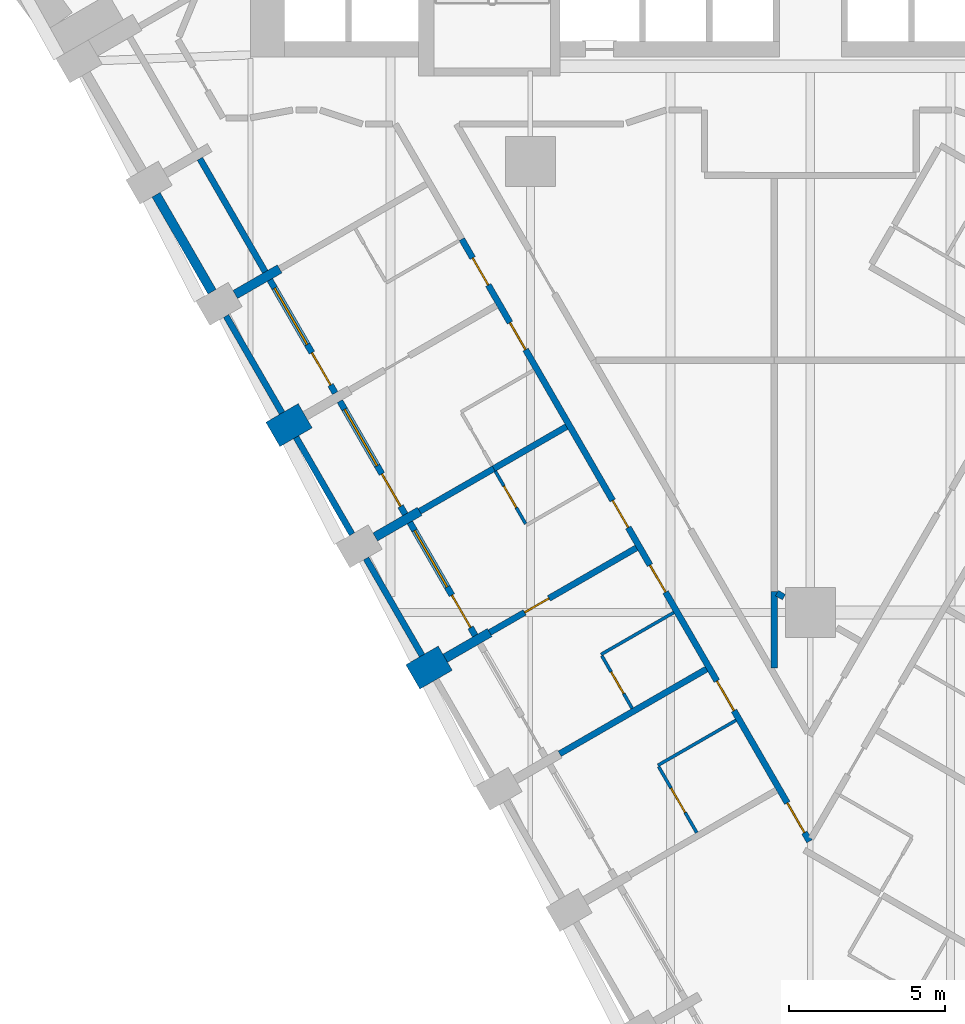
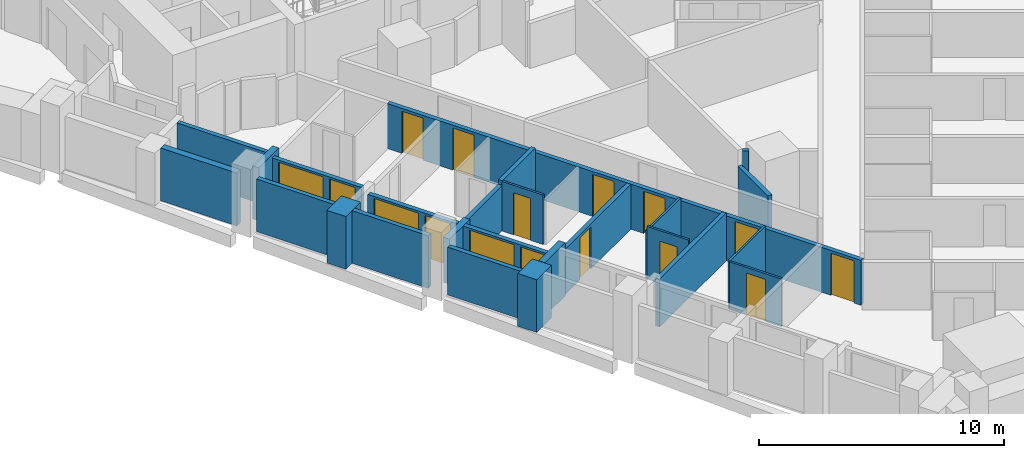
# One storey, part 3 of 12: 25 walls, 13 doors, 3 windows, 16 openings.
"""IFC4 building model written with IfcOpenShell, lengths in metres."""

import ifcopenshell
import ifcopenshell.guid

model = None  # the IFC model being written
_history = None  # IfcOwnerHistory: only IFC2X3 demands one
_inside = {}  # id of a spatial element -> (the spatial element, [elements in it])
_under = {}  # id of a project, library or spatial element -> (it, [spatial elements below it])
_declared = {}  # id of a project -> (the project, [libraries it declares])
_typed = {}  # id of a type object -> (the type object, [elements of that type])
_made_of = {}  # id of a material, layer set ... -> (it, [elements and type objects made of it])


def new_model(schema):
    """Start an empty IFC model of exactly this schema.

    Asked for "IFC4X3", IfcOpenShell would pick the latest addendum, in which some entities
    have other attributes; the version numbers below select the first issue.
    IFC2X3 requires an IfcOwnerHistory on every rooted entity: one is made here for all.
    """
    global model, _history
    if schema == "IFC4X3":
        model = ifcopenshell.file(schema_version=(4, 3, 0, 0))
    else:
        model = ifcopenshell.file(schema=schema)
    _inside.clear()
    _under.clear()
    _declared.clear()
    _typed.clear()
    _made_of.clear()
    _history = None
    if model.schema == "IFC2X3":
        org = make("IfcOrganization", Name="unknown")
        user = make(
            "IfcPersonAndOrganization",
            ThePerson=make("IfcPerson", FamilyName="unknown"),
            TheOrganization=org,
        )
        app = make(
            "IfcApplication",
            ApplicationDeveloper=org,
            Version="unknown",
            ApplicationFullName="unknown",
            ApplicationIdentifier="unknown",
        )
        _history = make(
            "IfcOwnerHistory",
            OwningUser=user,
            OwningApplication=app,
            ChangeAction="ADDED",
            CreationDate=0,
        )
    return model


def make(cls, **values):
    """One entity of the class cls with the attributes given. An attribute that is None is left unset."""
    return model.create_entity(
        cls, **{name: value for name, value in values.items() if value is not None}
    )


def rooted(cls, **values):
    """An entity with a GlobalId (a new one), such as an element, a storey or a relation."""
    return make(cls, GlobalId=ifcopenshell.guid.new(), OwnerHistory=_history, **values)


def si_unit(unit_type, name, prefix=None):
    """IfcSIUnit, for example si_unit("LENGTHUNIT", "METRE", prefix="MILLI")."""
    return make("IfcSIUnit", UnitType=unit_type, Prefix=prefix, Name=name)


def assignment(units):
    """IfcUnitAssignment: the units of a project."""
    return None if units is None else make("IfcUnitAssignment", Units=units)


def point(xyz):
    """IfcCartesianPoint."""
    return None if xyz is None else make("IfcCartesianPoint", Coordinates=xyz)


def direction(xyz):
    """IfcDirection."""
    return None if xyz is None else make("IfcDirection", DirectionRatios=xyz)


def frame(location, z_axis=None, x_axis=None):
    """IfcAxis2Placement3D, a coordinate frame: its origin and axes. An axis left out is left unset."""
    return make(
        "IfcAxis2Placement3D",
        Location=point(location),
        Axis=direction(z_axis),
        RefDirection=direction(x_axis),
    )


def frame_2d(location, x_axis=None):
    """IfcAxis2Placement2D, a coordinate frame in the plane: its origin and x axis."""
    return make(
        "IfcAxis2Placement2D", Location=point(location), RefDirection=direction(x_axis)
    )


def origin():
    """The frame at (0, 0, 0) with its axes left unset."""
    return frame((0.0, 0.0, 0.0))


def place(relative_to, where):
    """IfcLocalPlacement: puts the frame where relative to a parent placement (None: the world)."""
    return make(
        "IfcLocalPlacement", PlacementRelTo=relative_to, RelativePlacement=where
    )


def context(
    kind, dimensions, precision=None, world=None, true_north=None, identifier=None
):
    """IfcGeometricRepresentationContext, for example the 3D "Model" context."""
    return make(
        "IfcGeometricRepresentationContext",
        ContextIdentifier=identifier,
        ContextType=kind,
        CoordinateSpaceDimension=dimensions,
        Precision=precision,
        WorldCoordinateSystem=world,
        TrueNorth=true_north,
    )


def subcontext(parent, identifier, kind, view, scale=None):
    """IfcGeometricRepresentationSubContext, for example "Body" below "Model"."""
    return make(
        "IfcGeometricRepresentationSubContext",
        ContextIdentifier=identifier,
        ContextType=kind,
        ParentContext=parent,
        TargetScale=scale,
        TargetView=view,
    )


def project(units=None, contexts=None):
    """IfcProject with its units and contexts."""
    return rooted(
        "IfcProject",
        Name="project",
        RepresentationContexts=contexts,
        UnitsInContext=assignment(units),
    )


def spatial(cls, under=None, at=None, **own):
    """A site, building, storey or space (cls), placed at a placement, below another one or the project."""
    s = rooted(cls, ObjectPlacement=at, **own)
    if under is not None:
        _under.setdefault(under.id(), (under, []))[1].append(s)
    return s


def profile(cls, at=None, kind="AREA", **sizes):
    """A parametric profile (cls). Its sizes go by their IFC names, for example OverallWidth=200.0."""
    return make(cls, ProfileType=kind, Position=at, **sizes)


def rectangle(**sizes):
    """IfcRectangleProfileDef."""
    return profile("IfcRectangleProfileDef", **sizes)


def extrude(swept, where, along, depth):
    """IfcExtrudedAreaSolid: the profile swept, set in the frame where, extruded along a direction by depth."""
    return make(
        "IfcExtrudedAreaSolid",
        SweptArea=swept,
        Position=where,
        ExtrudedDirection=direction(along),
        Depth=depth,
    )


def shape(context_of_items, identifier, shape_type, items):
    """IfcShapeRepresentation: the items that make up one representation, for example the "Body"."""
    return make(
        "IfcShapeRepresentation",
        ContextOfItems=context_of_items,
        RepresentationIdentifier=identifier,
        RepresentationType=shape_type,
        Items=items,
    )


def material(Name=None, Category=None):
    """IfcMaterial."""
    return make("IfcMaterial", Name=Name, Category=Category)


def layer(
    of_material, thickness, ventilated=None, Name=None, Category=None, Priority=None
):
    """IfcMaterialLayer: one layer of a wall or slab, of a material (None: an air gap)."""
    return make(
        "IfcMaterialLayer",
        Material=of_material,
        LayerThickness=thickness,
        IsVentilated=ventilated,
        Name=Name,
        Category=Category,
        Priority=Priority,
    )


def layer_set(layers, Name=None):
    """IfcMaterialLayerSet."""
    return make("IfcMaterialLayerSet", MaterialLayers=layers, LayerSetName=Name)


def made_of(thing, what):
    """Note that an element or type object is made of a material, layer set ...; save() writes the relation."""
    if what is not None:
        _made_of.setdefault(what.id(), (what, []))[1].append(thing)
    return thing


def type_object(cls, material=None, **own):
    """A type object (cls), such as IfcWallType, which elements share."""
    return made_of(rooted(cls, **own), material)


def element(
    cls,
    number,
    at=None,
    inside=None,
    cuts=None,
    type_object=None,
    material=None,
    context=None,
    identifier="Body",
    shape_type=None,
    held_by="IfcProductDefinitionShape",
    body=None,
    shapes=None,
    **own,
):
    """One element of the class cls, such as IfcWall. Its Tag is "e" and its number.

    at: its placement. inside: the storey or other place that contains it. cuts: it is an
    opening in that element (IfcRelVoidsElement). A single representation is given by context,
    identifier, shape_type and body (its items); several are given by shapes. held_by: the class
    of the entity that holds the representations. save() writes the other relations.
    """
    e = rooted(cls, Tag="e%d" % number, ObjectPlacement=at, **own)
    if body is not None:
        shapes = [shape(context, identifier, shape_type, body)]
    if shapes is not None:
        e.Representation = make(held_by, Representations=shapes)
    if inside is not None:
        _inside.setdefault(inside.id(), (inside, []))[1].append(e)
    if cuts is not None:
        rooted(
            "IfcRelVoidsElement", RelatingBuildingElement=cuts, RelatedOpeningElement=e
        )
    if type_object is not None:
        _typed.setdefault(type_object.id(), (type_object, []))[1].append(e)
    return made_of(e, material)


def fill(opening, filler):
    """IfcRelFillsElement: the door or window that sits in an opening."""
    return rooted(
        "IfcRelFillsElement",
        RelatingOpeningElement=opening,
        RelatedBuildingElement=filler,
    )


def aggregate(whole, parts):
    """IfcRelAggregates: a whole, such as a stair, and the parts it consists of."""
    return rooted("IfcRelAggregates", RelatingObject=whole, RelatedObjects=parts)


def save(model, path):
    """Write the relations noted so far, then the file.

    IfcRelAggregates (storeys below a building ...), IfcRelContainedInSpatialStructure (elements
    in a storey), IfcRelDefinesByType, IfcRelAssociatesMaterial and IfcRelDeclares: one each for
    every whole, place, type object, material and project.
    """
    for whole, parts in _under.values():
        aggregate(whole, parts)
    for where, things in _inside.values():
        rooted(
            "IfcRelContainedInSpatialStructure",
            RelatedElements=things,
            RelatingStructure=where,
        )
    for kind, things in _typed.values():
        rooted("IfcRelDefinesByType", RelatedObjects=things, RelatingType=kind)
    for what, things in _made_of.values():
        rooted("IfcRelAssociatesMaterial", RelatedObjects=things, RelatingMaterial=what)
    for by, libraries in _declared.values():
        rooted("IfcRelDeclares", RelatingContext=by, RelatedDefinitions=libraries)
    model.write(path)


model = new_model("IFC4")

# Units and contexts
model_context = context("Model", 3, precision=1e-05, world=origin(), true_north=direction((0.0, 1.0)))
body_context = subcontext(model_context, "Body", "Model", "MODEL_VIEW")
ifc_project = project(units=[si_unit("LENGTHUNIT", "METRE"), si_unit("AREAUNIT", "SQUARE_METRE"), si_unit("VOLUMEUNIT", "CUBIC_METRE"), si_unit("PLANEANGLEUNIT", "RADIAN"), si_unit("MASSUNIT", "GRAM", prefix="KILO")], contexts=[model_context])

# Site, building, storey
site_placement = place(None, origin())
site = spatial("IfcSite", under=ifc_project, at=site_placement, CompositionType="ELEMENT")
building_placement = place(site_placement, origin())
building = spatial("IfcBuilding", under=site, at=building_placement, Name="Calabash Gate Tower", CompositionType="ELEMENT")
storey_placement = place(building_placement, frame((0.0, 0.0, 80.0)))
storey = spatial("IfcBuildingStorey", under=building, at=storey_placement, Name="L16", CompositionType="ELEMENT", Elevation=80.0)

# Walls
ifc_material_1 = material(Name="Terracotta brick masonry, exposed face", Category="masonry")
ifc_layer_1 = layer(ifc_material_1, 1.199951171875)
ifc_layer_set_1 = layer_set([ifc_layer_1], Name="Brick end wall 1200")
wall_type_1 = type_object("IfcWallType", Name="Brick end wall 1200", PredefinedType="SOLIDWALL", material=ifc_layer_set_1)
wall_1_placement = place(storey_placement, frame((-17.27880859375, -6.277099609375, 0.0), z_axis=(0.0, 0.0, 1.0), x_axis=(0.866094119867, 0.499880961361, 0.0)))
element("IfcWall", 1, at=wall_1_placement, inside=storey, type_object=wall_type_1, Name="Brick pier S04 SW0.3", PredefinedType="SOLIDWALL", context=body_context, shape_type="SweptSolid", body=[
    extrude(rectangle(XDim=1.199951171875, YDim=0.89990234375, at=frame_2d((0.60009765625, 0.0))), origin(), (0.0, 0.0, 1.0), 2.6298828125),
])
wall_2_placement = place(storey_placement, frame((-12.77880859375, -14.071533203125, 0.0), z_axis=(0.0, 0.0, 1.0), x_axis=(0.866006032174, 0.500033551112, 0.0)))
element("IfcWall", 2, at=wall_2_placement, inside=storey, type_object=wall_type_1, Name="Brick pier S04 SW0.5", PredefinedType="SOLIDWALL", context=body_context, shape_type="SweptSolid", body=[
    extrude(rectangle(XDim=1.2001953125, YDim=0.89990234375, at=frame_2d((0.60009765625, 0.0))), origin(), (0.0, 0.0, 1.0), 2.6298828125),
])
ifc_material_2 = material(Name="Terracotta brick masonry, exposed face", Category="masonry")
ifc_layer_2 = layer(ifc_material_2, 0.300048828125)
ifc_layer_set_2 = layer_set([ifc_layer_2], Name="Brick infill panel wall 300")
wall_type_2 = type_object("IfcWallType", Name="Brick infill panel wall 300", PredefinedType="SOLIDWALL", material=ifc_layer_set_2)
wall_3_placement = place(storey_placement, frame((-21.0341796875, 1.42724609375, 0.0), z_axis=(0.0, 0.0, 1.0), x_axis=(0.500012057535, -0.866018442252, 0.0)))
element("IfcWall", 3, at=wall_3_placement, inside=storey, type_object=wall_type_2, Name="Brick panel S04 SW0.2", PredefinedType="SOLIDWALL", context=body_context, shape_type="SweptSolid", body=[
    extrude(rectangle(XDim=3.60009765625, YDim=0.300048828125, at=frame_2d((1.800048828125, 0.0))), origin(), (0.0, 0.0, 1.0), 2.6298828125),
])
ifc_material_3 = material(Name="Terracotta brick masonry, exposed face", Category="masonry")
ifc_layer_3 = layer(ifc_material_3, 0.300048828125)
ifc_layer_set_3 = layer_set([ifc_layer_3], Name="Brick loggia cheek wall 300")
wall_type_3 = type_object("IfcWallType", Name="Brick loggia cheek wall 300", PredefinedType="SOLIDWALL", material=ifc_layer_set_3)
wall_4_placement = place(storey_placement, frame((-18.489501953125, -1.780029296875, 0.0), z_axis=(0.0, 0.0, 1.0), x_axis=(0.866040211805, 0.499974350878, 0.0)))
element("IfcWall", 4, at=wall_4_placement, inside=storey, type_object=wall_type_3, Name="Loggia cheek S04 SW0.2", PredefinedType="SOLIDWALL", context=body_context, shape_type="SweptSolid", body=[
    extrude(rectangle(XDim=1.64990234375, YDim=0.300048828125, at=frame_2d((0.824951171875, 0.0))), origin(), (0.0, 0.0, 1.0), 2.64990234375),
])
wall_5_placement = place(storey_placement, frame((-12.560546875, -8.749267578125, 0.0), z_axis=(0.0, 0.0, 1.0), x_axis=(-0.866003217194, -0.500038426333, 0.0)))
element("IfcWall", 5, at=wall_5_placement, inside=storey, type_object=wall_type_3, Name="Loggia cheek S04 SW0.4", PredefinedType="SOLIDWALL", context=body_context, shape_type="SweptSolid", body=[
    extrude(rectangle(XDim=1.649658203125, YDim=0.300048828125, at=frame_2d((0.82470703125, 0.0))), origin(), (0.0, 0.0, 1.0), 2.24169921875),
])
wall_6_placement = place(storey_placement, frame((-11.739501953125, -13.471435546875, 0.0), z_axis=(0.0, 0.0, 1.0), x_axis=(0.866040211805, 0.499974350878, 0.0)))
element("IfcWall", 6, at=wall_6_placement, inside=storey, type_object=wall_type_3, Name="Loggia cheek S04 SW0.5", PredefinedType="SOLIDWALL", context=body_context, shape_type="SweptSolid", body=[
    extrude(rectangle(XDim=1.64990234375, YDim=0.300048828125, at=frame_2d((0.824951171875, 0.0))), origin(), (0.0, 0.0, 1.0), 2.64990234375),
])

# Wall, opening, door
ifc_material_4 = material(Name="Gypsum board on steel studs, mineral wool", Category="steel")
ifc_layer_4 = layer(ifc_material_4, 0.10009765625)
ifc_layer_set_4 = layer_set([ifc_layer_4], Name="Partition 100 gypsum board")
wall_type_4 = type_object("IfcWallType", Name="Partition 100 gypsum board", PredefinedType="PARTITIONING", material=ifc_layer_set_4)
wall_7_placement = place(storey_placement, frame((-4.877197265625, -16.957275390625, 0.0), z_axis=(0.0, 0.0, 1.0), x_axis=(0.500018594424, -0.866014668023, 0.0)))
wall_7 = element("IfcWall", 7, at=wall_7_placement, inside=storey, type_object=wall_type_4, Name="Partition", PredefinedType="PARTITIONING", context=body_context, shape_type="SweptSolid", body=[
    extrude(rectangle(XDim=2.4501953125, YDim=0.10009765625, at=frame_2d((1.22509765625, 0.0))), origin(), (0.0, 0.0, 1.0), 2.384033203125),
])
opening_1_placement = place(wall_7_placement, frame((0.800048828125, 0.0, 0.0)))
opening_1 = element("IfcOpeningElement", 8, at=opening_1_placement, cuts=wall_7, Name="Opening 15-17-012", PredefinedType="OPENING", context=body_context, shape_type="SweptSolid", body=[
    extrude(rectangle(XDim=0.89990234375, YDim=2.10009765625, at=frame_2d((0.449951171875, 1.050048828125))), frame((0.0, 0.06005859375, 0.0), z_axis=(0.0, -1.0, 0.0), x_axis=(1.0, 0.0, 0.0)), (0.0, 0.0, 1.0), 0.1201171875),
])
ifc_material_5 = material(Name="Painted timber door", Category="wood")
door_type_1 = type_object("IfcDoorType", Name="GD6 Accessible en-suite door 900x2100", OperationType="NOTDEFINED", PredefinedType="DOOR", material=ifc_material_5)
door_1_placement = place(opening_1_placement, origin())
door_1 = element("IfcDoor", 9, at=door_1_placement, inside=storey, type_object=door_type_1, Name="Accessible en-suite door", OperationType="SINGLE_SWING_LEFT", OverallHeight=2.10009765625, OverallWidth=0.89990234375, PredefinedType="DOOR", context=body_context, shape_type="SweptSolid", body=[
    extrude(rectangle(XDim=0.89990234375, YDim=2.10009765625, at=frame_2d((0.449951171875, 1.050048828125))), frame((0.0, 0.02490234375, 0.0), z_axis=(0.0, -1.0, 0.0), x_axis=(1.0, 0.0, 0.0)), (0.0, 0.0, 1.0), 0.050048828125),
])
fill(opening_1, door_1)

# Wall
wall_8_placement = place(storey_placement, frame((-4.902099609375, -16.9140625, 0.0), z_axis=(0.0, 0.0, 1.0), x_axis=(0.866293497561, 0.499535360193, 0.0)))
element("IfcWall", 10, at=wall_8_placement, inside=storey, type_object=wall_type_4, Name="Partition", PredefinedType="PARTITIONING", context=body_context, shape_type="SweptSolid", body=[
    extrude(rectangle(XDim=2.899658203125, YDim=0.10009765625, at=frame_2d((1.44970703125, 0.0))), origin(), (0.0, 0.0, 1.0), 2.384033203125),
])

# Wall, opening, door
wall_9_placement = place(storey_placement, frame((-6.7041015625, -13.393310546875, 0.0), z_axis=(0.0, 0.0, 1.0), x_axis=(0.500098182527, -0.865968710655, 0.0)))
wall_9 = element("IfcWall", 11, at=wall_9_placement, inside=storey, type_object=wall_type_4, Name="Partition", PredefinedType="PARTITIONING", context=body_context, shape_type="SweptSolid", body=[
    extrude(rectangle(XDim=1.94970703125, YDim=0.10009765625, at=frame_2d((0.974853515625, 0.0))), origin(), (0.0, 0.0, 1.0), 2.6279296875),
])
opening_2_placement = place(wall_9_placement, frame((0.60009765625, 0.0, 0.0)))
opening_2 = element("IfcOpeningElement", 12, at=opening_2_placement, cuts=wall_9, Name="Opening 15-17-009", PredefinedType="OPENING", context=body_context, shape_type="SweptSolid", body=[
    extrude(rectangle(XDim=0.800048828125, YDim=2.10009765625, at=frame_2d((0.39990234375, 1.050048828125))), frame((0.0, 0.06005859375, 0.0), z_axis=(0.0, -1.0, 0.0), x_axis=(1.0, 0.0, 0.0)), (0.0, 0.0, 1.0), 0.1201171875),
])
ifc_material_6 = material(Name="Painted timber door", Category="wood")
door_type_2 = type_object("IfcDoorType", Name="GD5 En-suite door 800x2100", OperationType="NOTDEFINED", PredefinedType="DOOR", material=ifc_material_6)
door_2_placement = place(opening_2_placement, origin())
door_2 = element("IfcDoor", 13, at=door_2_placement, inside=storey, type_object=door_type_2, Name="En-suite door", OperationType="SINGLE_SWING_RIGHT", OverallHeight=2.10009765625, OverallWidth=0.800048828125, PredefinedType="DOOR", context=body_context, shape_type="SweptSolid", body=[
    extrude(rectangle(XDim=0.800048828125, YDim=2.10009765625, at=frame_2d((0.39990234375, 1.050048828125))), frame((0.0, 0.02490234375, 0.0), z_axis=(0.0, -1.0, 0.0), x_axis=(1.0, 0.0, 0.0)), (0.0, 0.0, 1.0), 0.050048828125),
])
fill(opening_2, door_2)

# Wall
wall_10_placement = place(storey_placement, frame((-6.72900390625, -13.349853515625, 0.0), z_axis=(0.0, 0.0, 1.0), x_axis=(0.866339109022, 0.499456252518, 0.0)))
element("IfcWall", 14, at=wall_10_placement, inside=storey, type_object=wall_type_4, Name="Partition", PredefinedType="PARTITIONING", context=body_context, shape_type="SweptSolid", body=[
    extrude(rectangle(XDim=2.69970703125, YDim=0.10009765625, at=frame_2d((1.349853515625, 0.0))), origin(), (0.0, 0.0, 1.0), 2.384033203125),
])

# Wall, opening, door
wall_11_placement = place(storey_placement, frame((-10.12744140625, -7.460205078125, 0.0), z_axis=(0.0, 0.0, 1.0), x_axis=(0.499223742716, -0.866473112514, 0.0)))
wall_11 = element("IfcWall", 15, at=wall_11_placement, inside=storey, type_object=wall_type_4, Name="Partition", PredefinedType="PARTITIONING", context=body_context, shape_type="SweptSolid", body=[
    extrude(rectangle(XDim=1.94970703125, YDim=0.10009765625, at=frame_2d((0.974853515625, 0.0))), origin(), (0.0, 0.0, 1.0), 2.4736328125),
])
opening_3_placement = place(wall_11_placement, frame((0.5498046875, 0.0, 0.0)))
opening_3 = element("IfcOpeningElement", 16, at=opening_3_placement, cuts=wall_11, Name="Opening 15-17-007", PredefinedType="OPENING", context=body_context, shape_type="SweptSolid", body=[
    extrude(rectangle(XDim=0.800048828125, YDim=2.10009765625, at=frame_2d((0.39990234375, 1.050048828125))), frame((0.0, 0.06005859375, 0.0), z_axis=(0.0, -1.0, 0.0), x_axis=(1.0, 0.0, 0.0)), (0.0, 0.0, 1.0), 0.1201171875),
])
door_3_placement = place(opening_3_placement, origin())
door_3 = element("IfcDoor", 17, at=door_3_placement, inside=storey, type_object=door_type_2, Name="En-suite door", OperationType="SINGLE_SWING_LEFT", OverallHeight=2.10009765625, OverallWidth=0.800048828125, PredefinedType="DOOR", context=body_context, shape_type="SweptSolid", body=[
    extrude(rectangle(XDim=0.800048828125, YDim=2.10009765625, at=frame_2d((0.39990234375, 1.050048828125))), frame((0.0, 0.02490234375, 0.0), z_axis=(0.0, -1.0, 0.0), x_axis=(1.0, 0.0, 0.0)), (0.0, 0.0, 1.0), 0.050048828125),
])
fill(opening_3, door_3)

# Wall, openings, doors
ifc_material_7 = material(Name="Gypsum board on steel studs, mineral wool", Category="steel")
ifc_layer_5 = layer(ifc_material_7, 0.199951171875)
ifc_layer_set_5 = layer_set([ifc_layer_5], Name="Partition 200 gypsum board EI 60")
wall_type_5 = type_object("IfcWallType", Name="Partition 200 gypsum board EI 60", PredefinedType="PARTITIONING", material=ifc_layer_set_5)
wall_12_placement = place(storey_placement, frame((-11.205810546875, 0.0, 0.0), z_axis=(0.0, 0.0, 1.0), x_axis=(0.500002959525, -0.866023695095, 0.0)))
wall_12 = element("IfcWall", 18, at=wall_12_placement, inside=storey, type_object=wall_type_5, Name="Partition", PredefinedType="PARTITIONING", context=body_context, shape_type="SweptSolid", body=[
    extrude(rectangle(XDim=22.350830078125, YDim=0.199951171875, at=frame_2d((11.17529296875, 0.0))), origin(), (0.0, 0.0, 1.0), 2.24169921875),
])
opening_4_placement = place(wall_12_placement, frame((0.69970703125, 0.0, 0.0)))
opening_4 = element("IfcOpeningElement", 19, at=opening_4_placement, cuts=wall_12, Name="Opening 15-17-001", PredefinedType="OPENING", context=body_context, shape_type="SweptSolid", body=[
    extrude(rectangle(XDim=1.0, YDim=2.10009765625, at=frame_2d((0.5, 1.050048828125))), frame((0.0, 0.10986328125, 0.0), z_axis=(0.0, -1.0, 0.0), x_axis=(1.0, 0.0, 0.0)), (0.0, 0.0, 1.0), 0.219970703125),
])
opening_5_placement = place(wall_12_placement, frame((3.099609375, 0.0, 0.0)))
opening_5 = element("IfcOpeningElement", 20, at=opening_5_placement, cuts=wall_12, Name="Opening 15-17-003", PredefinedType="OPENING", context=body_context, shape_type="SweptSolid", body=[
    extrude(rectangle(XDim=1.0, YDim=2.10009765625, at=frame_2d((0.5, 1.050048828125))), frame((0.0, 0.10986328125, 0.0), z_axis=(0.0, -1.0, 0.0), x_axis=(1.0, 0.0, 0.0)), (0.0, 0.0, 1.0), 0.219970703125),
])
opening_6_placement = place(wall_12_placement, frame((9.69970703125, 0.0, 0.0)))
opening_6 = element("IfcOpeningElement", 21, at=opening_6_placement, cuts=wall_12, Name="Opening 15-17-006", PredefinedType="OPENING", context=body_context, shape_type="SweptSolid", body=[
    extrude(rectangle(XDim=1.0, YDim=2.10009765625, at=frame_2d((0.5, 1.050048828125))), frame((0.0, 0.10986328125, 0.0), z_axis=(0.0, -1.0, 0.0), x_axis=(1.0, 0.0, 0.0)), (0.0, 0.0, 1.0), 0.219970703125),
])
opening_7_placement = place(wall_12_placement, frame((12.099609375, 0.0, 0.0)))
opening_7 = element("IfcOpeningElement", 22, at=opening_7_placement, cuts=wall_12, Name="Opening 15-17-008", PredefinedType="OPENING", context=body_context, shape_type="SweptSolid", body=[
    extrude(rectangle(XDim=1.0, YDim=2.10009765625, at=frame_2d((0.5, 1.050048828125))), frame((0.0, 0.10986328125, 0.0), z_axis=(0.0, -1.0, 0.0), x_axis=(1.0, 0.0, 0.0)), (0.0, 0.0, 1.0), 0.219970703125),
])
opening_8_placement = place(wall_12_placement, frame((16.399658203125, 0.0, 0.0)))
opening_8 = element("IfcOpeningElement", 23, at=opening_8_placement, cuts=wall_12, Name="Opening 15-17-011", PredefinedType="OPENING", context=body_context, shape_type="SweptSolid", body=[
    extrude(rectangle(XDim=1.10009765625, YDim=2.10009765625, at=frame_2d((0.550048828125, 1.050048828125))), frame((0.0, 0.10986328125, 0.0), z_axis=(0.0, -1.0, 0.0), x_axis=(1.0, 0.0, 0.0)), (0.0, 0.0, 1.0), 0.219970703125),
])
opening_9_placement = place(wall_12_placement, frame((20.92529296875, 0.0, 0.0)))
opening_9 = element("IfcOpeningElement", 24, at=opening_9_placement, cuts=wall_12, Name="Opening 15-17-041", PredefinedType="OPENING", context=body_context, shape_type="SweptSolid", body=[
    extrude(rectangle(XDim=1.10009765625, YDim=2.10009765625, at=frame_2d((0.550048828125, 1.050048828125))), frame((0.0, 0.10986328125, 0.0), z_axis=(0.0, -1.0, 0.0), x_axis=(1.0, 0.0, 0.0)), (0.0, 0.0, 1.0), 0.219970703125),
])
ifc_material_8 = material(Name="Steel fire door set with fire-resisting glazing", Category="steel")
door_type_3 = type_object("IfcDoorType", Name="GD1 Guest room entrance door 1000x2100", OperationType="NOTDEFINED", PredefinedType="DOOR", material=ifc_material_8)
door_4_placement = place(opening_4_placement, origin())
door_4 = element("IfcDoor", 25, at=door_4_placement, inside=storey, type_object=door_type_3, Name="Guest room entrance door", OperationType="SINGLE_SWING_LEFT", OverallHeight=2.10009765625, OverallWidth=1.0, PredefinedType="DOOR", context=body_context, shape_type="SweptSolid", body=[
    extrude(rectangle(XDim=1.0, YDim=2.10009765625, at=frame_2d((0.5, 1.050048828125))), frame((0.0, 0.02490234375, 0.0), z_axis=(0.0, -1.0, 0.0), x_axis=(1.0, 0.0, 0.0)), (0.0, 0.0, 1.0), 0.050048828125),
])
fill(opening_4, door_4)
door_5_placement = place(opening_5_placement, origin())
door_5 = element("IfcDoor", 26, at=door_5_placement, inside=storey, type_object=door_type_3, Name="Guest room entrance door", OperationType="SINGLE_SWING_RIGHT", OverallHeight=2.10009765625, OverallWidth=1.0, PredefinedType="DOOR", context=body_context, shape_type="SweptSolid", body=[
    extrude(rectangle(XDim=1.0, YDim=2.10009765625, at=frame_2d((0.5, 1.050048828125))), frame((0.0, 0.02490234375, 0.0), z_axis=(0.0, -1.0, 0.0), x_axis=(1.0, 0.0, 0.0)), (0.0, 0.0, 1.0), 0.050048828125),
])
fill(opening_5, door_5)
door_6_placement = place(opening_6_placement, origin())
door_6 = element("IfcDoor", 27, at=door_6_placement, inside=storey, type_object=door_type_3, Name="Guest room entrance door", OperationType="SINGLE_SWING_LEFT", OverallHeight=2.10009765625, OverallWidth=1.0, PredefinedType="DOOR", context=body_context, shape_type="SweptSolid", body=[
    extrude(rectangle(XDim=1.0, YDim=2.10009765625, at=frame_2d((0.5, 1.050048828125))), frame((0.0, 0.02490234375, 0.0), z_axis=(0.0, -1.0, 0.0), x_axis=(1.0, 0.0, 0.0)), (0.0, 0.0, 1.0), 0.050048828125),
])
fill(opening_6, door_6)
door_7_placement = place(opening_7_placement, origin())
door_7 = element("IfcDoor", 28, at=door_7_placement, inside=storey, type_object=door_type_3, Name="Guest room entrance door", OperationType="SINGLE_SWING_RIGHT", OverallHeight=2.10009765625, OverallWidth=1.0, PredefinedType="DOOR", context=body_context, shape_type="SweptSolid", body=[
    extrude(rectangle(XDim=1.0, YDim=2.10009765625, at=frame_2d((0.5, 1.050048828125))), frame((0.0, 0.02490234375, 0.0), z_axis=(0.0, -1.0, 0.0), x_axis=(1.0, 0.0, 0.0)), (0.0, 0.0, 1.0), 0.050048828125),
])
fill(opening_7, door_7)
ifc_material_9 = material(Name="Steel fire door set with fire-resisting glazing", Category="steel")
door_type_4 = type_object("IfcDoorType", Name="GD2 Accessible guest room entrance door 1100x2100", OperationType="NOTDEFINED", PredefinedType="DOOR", material=ifc_material_9)
door_8_placement = place(opening_8_placement, origin())
door_8 = element("IfcDoor", 29, at=door_8_placement, inside=storey, type_object=door_type_4, Name="Accessible guest room entrance door", OperationType="SINGLE_SWING_RIGHT", OverallHeight=2.10009765625, OverallWidth=1.10009765625, PredefinedType="DOOR", context=body_context, shape_type="SweptSolid", body=[
    extrude(rectangle(XDim=1.10009765625, YDim=2.10009765625, at=frame_2d((0.550048828125, 1.050048828125))), frame((0.0, 0.02490234375, 0.0), z_axis=(0.0, -1.0, 0.0), x_axis=(1.0, 0.0, 0.0)), (0.0, 0.0, 1.0), 0.050048828125),
])
fill(opening_8, door_8)
ifc_material_10 = material(Name="Steel fire door set with fire-resisting glazing", Category="steel")
door_type_5 = type_object("IfcDoorType", Name="GD3 Suite entrance door 1100x2100", OperationType="NOTDEFINED", PredefinedType="DOOR", material=ifc_material_10)
door_9_placement = place(opening_9_placement, origin())
door_9 = element("IfcDoor", 30, at=door_9_placement, inside=storey, type_object=door_type_5, Name="Suite entrance door", OperationType="SINGLE_SWING_LEFT", OverallHeight=2.10009765625, OverallWidth=1.10009765625, PredefinedType="DOOR", context=body_context, shape_type="SweptSolid", body=[
    extrude(rectangle(XDim=1.10009765625, YDim=2.10009765625, at=frame_2d((0.550048828125, 1.050048828125))), frame((0.0, 0.02490234375, 0.0), z_axis=(0.0, -1.0, 0.0), x_axis=(1.0, 0.0, 0.0)), (0.0, 0.0, 1.0), 0.050048828125),
])
fill(opening_9, door_9)

# Walls
wall_13_placement = place(storey_placement, frame((-8.060546875, -16.543701171875, 0.0), z_axis=(0.0, 0.0, 1.0), x_axis=(0.866193043817, 0.499709526468, 0.0)))
element("IfcWall", 31, at=wall_13_placement, inside=storey, type_object=wall_type_5, Name="Partition", PredefinedType="PARTITIONING", context=body_context, shape_type="SweptSolid", body=[
    extrude(rectangle(XDim=5.449951171875, YDim=0.199951171875, at=frame_2d((2.72509765625, 0.0))), origin(), (0.0, 0.0, 1.0), 2.384033203125),
])
wall_14_placement = place(storey_placement, frame((-1.0751953125, -11.377685546875, 0.0), z_axis=(0.0, 0.0, 1.0), x_axis=(0.863710940107, -0.50398751169, 0.0)))
element("IfcWall", 32, at=wall_14_placement, inside=storey, type_object=wall_type_5, Name="Partition", PredefinedType="PARTITIONING", context=body_context, shape_type="SweptSolid", body=[
    extrude(rectangle(XDim=0.260498046875, YDim=0.199951171875, at=frame_2d((0.13037109375, 0.0))), origin(), (0.0, 0.0, 1.0), 3.22998046875),
])
wall_15_placement = place(storey_placement, frame((-1.1630859375, -13.78955078125, 0.0), z_axis=(0.0, 0.0, 1.0), x_axis=(0.000595415197, 0.99999982274, 0.0)))
element("IfcWall", 33, at=wall_15_placement, inside=storey, type_object=wall_type_5, Name="Partition", PredefinedType="PARTITIONING", context=body_context, shape_type="SweptSolid", body=[
    extrude(rectangle(XDim=2.460205078125, YDim=0.199951171875, at=frame_2d((1.22998046875, 0.0))), origin(), (0.0, 0.0, 1.0), 2.4501953125),
])

# Wall, opening, door
wall_16_placement = place(storey_placement, frame((-10.310546875, -12.646484375, 0.0), z_axis=(0.0, 0.0, 1.0), x_axis=(0.866193043817, 0.499709526468, 0.0)))
wall_16 = element("IfcWall", 34, at=wall_16_placement, inside=storey, type_object=wall_type_5, Name="Partition", PredefinedType="PARTITIONING", context=body_context, shape_type="SweptSolid", body=[
    extrude(rectangle(XDim=5.449951171875, YDim=0.199951171875, at=frame_2d((2.72509765625, 0.0))), origin(), (0.0, 0.0, 1.0), 2.24169921875),
])
opening_10_placement = place(wall_16_placement, frame((1.300048828125, 0.0, 0.0)))
opening_10 = element("IfcOpeningElement", 35, at=opening_10_placement, cuts=wall_16, Name="Opening 15-17-010", PredefinedType="OPENING", context=body_context, shape_type="SweptSolid", body=[
    extrude(rectangle(XDim=0.89990234375, YDim=2.10009765625, at=frame_2d((0.449951171875, 1.050048828125))), frame((0.0, 0.10986328125, 0.0), z_axis=(0.0, -1.0, 0.0), x_axis=(1.0, 0.0, 0.0)), (0.0, 0.0, 1.0), 0.219970703125),
])
ifc_material_11 = material(Name="Steel fire door set with fire-resisting glazing", Category="steel")
door_type_6 = type_object("IfcDoorType", Name="GD4 Connecting door 900x2100", OperationType="NOTDEFINED", PredefinedType="DOOR", material=ifc_material_11)
door_10_placement = place(opening_10_placement, origin())
door_10 = element("IfcDoor", 36, at=door_10_placement, inside=storey, type_object=door_type_6, Name="Connecting door", OperationType="SINGLE_SWING_RIGHT", OverallHeight=2.10009765625, OverallWidth=0.89990234375, PredefinedType="DOOR", context=body_context, shape_type="SweptSolid", body=[
    extrude(rectangle(XDim=0.89990234375, YDim=2.10009765625, at=frame_2d((0.449951171875, 1.050048828125))), frame((0.0, 0.02490234375, 0.0), z_axis=(0.0, -1.0, 0.0), x_axis=(1.0, 0.0, 0.0)), (0.0, 0.0, 1.0), 0.050048828125),
])
fill(opening_10, door_10)

# Walls
wall_17_placement = place(storey_placement, frame((-12.560546875, -8.74951171875, 0.0), z_axis=(0.0, 0.0, 1.0), x_axis=(0.866362904174, 0.499414976018, 0.0)))
element("IfcWall", 37, at=wall_17_placement, inside=storey, type_object=wall_type_5, Name="Partition", PredefinedType="PARTITIONING", context=body_context, shape_type="SweptSolid", body=[
    extrude(rectangle(XDim=2.749755859375, YDim=0.199951171875, at=frame_2d((1.375, 0.0))), origin(), (0.0, 0.0, 1.0), 2.24169921875),
])
wall_18_placement = place(storey_placement, frame((-10.177978515625, -7.3759765625, 0.0), z_axis=(0.0, 0.0, 1.0), x_axis=(0.866036505625, 0.499980770555, 0.0)))
element("IfcWall", 38, at=wall_18_placement, inside=storey, type_object=wall_type_5, Name="Partition", PredefinedType="PARTITIONING", context=body_context, shape_type="SweptSolid", body=[
    extrude(rectangle(XDim=2.69970703125, YDim=0.199951171875, at=frame_2d((1.349853515625, 0.0))), origin(), (0.0, 0.0, 1.0), 2.4736328125),
])
ifc_material_12 = material(Name="Terracotta brick masonry, perforated", Category="masonry")
ifc_layer_6 = layer(ifc_material_12, 0.199951171875)
ifc_layer_set_6 = layer_set([ifc_layer_6], Name="Terracotta jaali screen B")
wall_type_6 = type_object("IfcWallType", Name="Terracotta jaali screen B", PredefinedType="SOLIDWALL", material=ifc_layer_set_6)
for number, where, z_axis, x_axis, name in (
    (39, (-18.7841796875, -2.4697265625, 0.0), (0.0, 0.0, 1.0), (0.500012057535, -0.866018442252, 0.0), "SCREEN B S04 SW0.3"),
    (40, (-16.5341796875, -6.366943359375, 0.0), (0.0, 0.0, 1.0), (0.500012057535, -0.866018442252, 0.0), "SCREEN B S04 SW0.4"),
):
    element("IfcWall", number, at=place(storey_placement, frame(where, z_axis=z_axis, x_axis=x_axis)), inside=storey, type_object=wall_type_6, Name=name, PredefinedType="SOLIDWALL", context=body_context, shape_type="SweptSolid", body=[
        extrude(rectangle(XDim=3.60009765625, YDim=0.199951171875, at=frame_2d((1.800048828125, 0.0))), origin(), (0.0, 0.0, 1.0), 2.6298828125),
    ])
wall_19_placement = place(storey_placement, frame((-14.2841796875, -10.263916015625, 0.0), z_axis=(0.0, 0.0, 1.0), x_axis=(0.499982693035, -0.866035395735, 0.0)))
element("IfcWall", 41, at=wall_19_placement, inside=storey, type_object=wall_type_6, Name="SCREEN B S04 SW0.5", PredefinedType="SOLIDWALL", context=body_context, shape_type="SweptSolid", body=[
    extrude(rectangle(XDim=3.600341796875, YDim=0.199951171875, at=frame_2d((1.80029296875, 0.0))), origin(), (0.0, 0.0, 1.0), 2.384033203125),
])
ifc_material_13 = material(Name="Aluminium framed window wall with insulated spandrel", Category="aluminium")
ifc_layer_7 = layer(ifc_material_13, 0.199951171875)
ifc_layer_set_7 = layer_set([ifc_layer_7], Name="Window wall 200")
wall_type_7 = type_object("IfcWallType", Name="Window wall 200", PredefinedType="ELEMENTEDWALL", material=ifc_layer_set_7)
wall_20_placement = place(storey_placement, frame((-19.625244140625, 2.587158203125, 0.0), z_axis=(0.0, 0.0, 1.0), x_axis=(0.499958946799, -0.866049104564, 0.0)))
element("IfcWall", 42, at=wall_20_placement, inside=storey, type_object=wall_type_7, Name="Window wall S04 SW0.2", PredefinedType="ELEMENTEDWALL", context=body_context, shape_type="SweptSolid", body=[
    extrude(rectangle(XDim=4.199951171875, YDim=0.199951171875, at=frame_2d((2.10009765625, 0.0))), origin(), (0.0, 0.0, 1.0), 2.64990234375),
])

# Wall, openings, door, window
wall_21_placement = place(storey_placement, frame((-17.375244140625, -1.31005859375, 0.0), z_axis=(0.0, 0.0, 1.0), x_axis=(0.49998411664, -0.866034573852, 0.0)))
wall_21 = element("IfcWall", 43, at=wall_21_placement, inside=storey, type_object=wall_type_7, Name="Window wall S04 SW0.3", PredefinedType="ELEMENTEDWALL", context=body_context, shape_type="SweptSolid", body=[
    extrude(rectangle(XDim=4.199951171875, YDim=0.199951171875, at=frame_2d((2.10009765625, 0.0))), origin(), (0.0, 0.0, 1.0), 2.4736328125),
])
opening_11_placement = place(wall_21_placement, frame((0.300048828125, 0.0, 0.60009765625)))
opening_11 = element("IfcOpeningElement", 44, at=opening_11_placement, cuts=wall_21, Name="Opening HW1L-1770", PredefinedType="OPENING", context=body_context, shape_type="SweptSolid", body=[
    extrude(rectangle(XDim=2.10009765625, YDim=1.77001953125, at=frame_2d((1.050048828125, 0.885009765625))), frame((0.0, 0.10986328125, 0.0), z_axis=(0.0, -1.0, 0.0), x_axis=(1.0, 0.0, 0.0)), (0.0, 0.0, 1.0), 0.219970703125),
])
opening_12_placement = place(wall_21_placement, frame((2.699951171875, 0.0, 0.0)))
opening_12 = element("IfcOpeningElement", 45, at=opening_12_placement, cuts=wall_21, Name="Opening H4-026", PredefinedType="OPENING", context=body_context, shape_type="SweptSolid", body=[
    extrude(rectangle(XDim=1.199951171875, YDim=2.3701171875, at=frame_2d((0.60009765625, 1.18505859375))), frame((0.0, 0.10986328125, 0.0), z_axis=(0.0, -1.0, 0.0), x_axis=(1.0, 0.0, 0.0)), (0.0, 0.0, 1.0), 0.219970703125),
])
ifc_material_14 = material(Name="Anodised aluminium frame, bronze finish, impact-rated laminated clear glazing", Category="aluminium")
door_type_7 = type_object("IfcDoorType", Name="Loggia door DH1L-2370 1200x2370", OperationType="SLIDING_TO_LEFT", PredefinedType="DOOR", material=ifc_material_14)
door_11_placement = place(opening_12_placement, origin())
door_11 = element("IfcDoor", 46, at=door_11_placement, inside=storey, type_object=door_type_7, Name="Loggia door S04 SW0.3", OperationType="SINGLE_SWING_LEFT", OverallHeight=2.3701171875, OverallWidth=1.199951171875, PredefinedType="DOOR", context=body_context, shape_type="SweptSolid", body=[
    extrude(rectangle(XDim=1.199951171875, YDim=2.3701171875, at=frame_2d((0.60009765625, 1.18505859375))), frame((0.0, 0.02490234375, 0.0), z_axis=(0.0, -1.0, 0.0), x_axis=(1.0, 0.0, 0.0)), (0.0, 0.0, 1.0), 0.050048828125),
])
fill(opening_12, door_11)
ifc_material_15 = material(Name="Anodised aluminium frame, bronze finish, impact-rated laminated clear glazing", Category="aluminium")
window_type_1 = type_object("IfcWindowType", Name="Window HW1L 2100x1770", PartitioningType="DOUBLE_PANEL_VERTICAL", PredefinedType="WINDOW", material=ifc_material_15)
window_1_placement = place(opening_11_placement, origin())
window_1 = element("IfcWindow", 47, at=window_1_placement, inside=storey, type_object=window_type_1, Name="Window HW1 S04 SW0.3", OverallHeight=1.77001953125, OverallWidth=2.10009765625, PartitioningType="SINGLE_PANEL", PredefinedType="WINDOW", context=body_context, shape_type="SweptSolid", body=[
    extrude(rectangle(XDim=2.10009765625, YDim=1.77001953125, at=frame_2d((1.050048828125, 0.885009765625))), frame((0.0, 0.030029296875, 0.0), z_axis=(0.0, -1.0, 0.0), x_axis=(1.0, 0.0, 0.0)), (0.0, 0.0, 1.0), 0.06005859375),
])
fill(opening_11, window_1)

wall_22_placement = place(storey_placement, frame((-15.125244140625, -5.20703125, 0.0), z_axis=(0.0, 0.0, 1.0), x_axis=(0.499958946799, -0.866049104564, 0.0)))
wall_22 = element("IfcWall", 48, at=wall_22_placement, inside=storey, type_object=wall_type_7, Name="Window wall S04 SW0.4", PredefinedType="ELEMENTEDWALL", context=body_context, shape_type="SweptSolid", body=[
    extrude(rectangle(XDim=4.199951171875, YDim=0.199951171875, at=frame_2d((2.10009765625, 0.0))), origin(), (0.0, 0.0, 1.0), 2.24169921875),
])
opening_13_placement = place(wall_22_placement, frame((0.300048828125, 0.0, 0.60009765625)))
opening_13 = element("IfcOpeningElement", 49, at=opening_13_placement, cuts=wall_22, Name="Opening HW1L-1540", PredefinedType="OPENING", context=body_context, shape_type="SweptSolid", body=[
    extrude(rectangle(XDim=2.10009765625, YDim=1.5400390625, at=frame_2d((1.050048828125, 0.77001953125))), frame((0.0, 0.10986328125, 0.0), z_axis=(0.0, -1.0, 0.0), x_axis=(1.0, 0.0, 0.0)), (0.0, 0.0, 1.0), 0.219970703125),
])
opening_14_placement = place(wall_22_placement, frame((2.699951171875, 0.0, 0.0)))
opening_14 = element("IfcOpeningElement", 50, at=opening_14_placement, cuts=wall_22, Name="Opening H4-027", PredefinedType="OPENING", context=body_context, shape_type="SweptSolid", body=[
    extrude(rectangle(XDim=1.199951171875, YDim=2.139892578125, at=frame_2d((0.60009765625, 1.06982421875))), frame((0.0, 0.10986328125, 0.0), z_axis=(0.0, -1.0, 0.0), x_axis=(1.0, 0.0, 0.0)), (0.0, 0.0, 1.0), 0.219970703125),
])
ifc_material_16 = material(Name="Anodised aluminium frame, bronze finish, impact-rated laminated clear glazing", Category="aluminium")
door_type_8 = type_object("IfcDoorType", Name="Loggia door DH1L-2140 1200x2140", OperationType="SLIDING_TO_LEFT", PredefinedType="DOOR", material=ifc_material_16)
door_12_placement = place(opening_14_placement, origin())
door_12 = element("IfcDoor", 51, at=door_12_placement, inside=storey, type_object=door_type_8, Name="Loggia door S04 SW0.4", OperationType="SINGLE_SWING_LEFT", OverallHeight=2.139892578125, OverallWidth=1.199951171875, PredefinedType="DOOR", context=body_context, shape_type="SweptSolid", body=[
    extrude(rectangle(XDim=1.199951171875, YDim=2.139892578125, at=frame_2d((0.60009765625, 1.06982421875))), frame((0.0, 0.02490234375, 0.0), z_axis=(0.0, -1.0, 0.0), x_axis=(1.0, 0.0, 0.0)), (0.0, 0.0, 1.0), 0.050048828125),
])
fill(opening_14, door_12)
ifc_material_17 = material(Name="Anodised aluminium frame, bronze finish, impact-rated laminated clear glazing", Category="aluminium")
window_type_2 = type_object("IfcWindowType", Name="Window HW1L 2100x1540", PartitioningType="DOUBLE_PANEL_VERTICAL", PredefinedType="WINDOW", material=ifc_material_17)
window_2_placement = place(opening_13_placement, origin())
window_2 = element("IfcWindow", 52, at=window_2_placement, inside=storey, type_object=window_type_2, Name="Window HW1 S04 SW0.4", OverallHeight=1.5400390625, OverallWidth=2.10009765625, PartitioningType="SINGLE_PANEL", PredefinedType="WINDOW", context=body_context, shape_type="SweptSolid", body=[
    extrude(rectangle(XDim=2.10009765625, YDim=1.5400390625, at=frame_2d((1.050048828125, 0.77001953125))), frame((0.0, 0.030029296875, 0.0), z_axis=(0.0, -1.0, 0.0), x_axis=(1.0, 0.0, 0.0)), (0.0, 0.0, 1.0), 0.06005859375),
])
fill(opening_13, window_2)

wall_23_placement = place(storey_placement, frame((-12.875244140625, -9.104248046875, 0.0), z_axis=(0.0, 0.0, 1.0), x_axis=(0.49998411664, -0.866034573852, 0.0)))
wall_23 = element("IfcWall", 53, at=wall_23_placement, inside=storey, type_object=wall_type_7, Name="Window wall S04 SW0.5", PredefinedType="ELEMENTEDWALL", context=body_context, shape_type="SweptSolid", body=[
    extrude(rectangle(XDim=4.199951171875, YDim=0.199951171875, at=frame_2d((2.10009765625, 0.0))), origin(), (0.0, 0.0, 1.0), 2.24169921875),
])
opening_15_placement = place(wall_23_placement, frame((0.300048828125, 0.0, 0.60009765625)))
opening_15 = element("IfcOpeningElement", 54, at=opening_15_placement, cuts=wall_23, Name="Opening HW1L-1540", PredefinedType="OPENING", context=body_context, shape_type="SweptSolid", body=[
    extrude(rectangle(XDim=2.10009765625, YDim=1.5400390625, at=frame_2d((1.050048828125, 0.77001953125))), frame((0.0, 0.10986328125, 0.0), z_axis=(0.0, -1.0, 0.0), x_axis=(1.0, 0.0, 0.0)), (0.0, 0.0, 1.0), 0.219970703125),
])
opening_16_placement = place(wall_23_placement, frame((2.699951171875, 0.0, 0.0)))
opening_16 = element("IfcOpeningElement", 55, at=opening_16_placement, cuts=wall_23, Name="Opening H4-028", PredefinedType="OPENING", context=body_context, shape_type="SweptSolid", body=[
    extrude(rectangle(XDim=1.199951171875, YDim=2.139892578125, at=frame_2d((0.60009765625, 1.06982421875))), frame((0.0, 0.10986328125, 0.0), z_axis=(0.0, -1.0, 0.0), x_axis=(1.0, 0.0, 0.0)), (0.0, 0.0, 1.0), 0.219970703125),
])
door_13_placement = place(opening_16_placement, origin())
door_13 = element("IfcDoor", 56, at=door_13_placement, inside=storey, type_object=door_type_8, Name="Loggia door S04 SW0.5", OperationType="SINGLE_SWING_LEFT", OverallHeight=2.139892578125, OverallWidth=1.199951171875, PredefinedType="DOOR", context=body_context, shape_type="SweptSolid", body=[
    extrude(rectangle(XDim=1.199951171875, YDim=2.139892578125, at=frame_2d((0.60009765625, 1.06982421875))), frame((0.0, 0.02490234375, 0.0), z_axis=(0.0, -1.0, 0.0), x_axis=(1.0, 0.0, 0.0)), (0.0, 0.0, 1.0), 0.050048828125),
])
fill(opening_16, door_13)
window_3_placement = place(opening_15_placement, origin())
window_3 = element("IfcWindow", 57, at=window_3_placement, inside=storey, type_object=window_type_2, Name="Window HW1 S04 SW0.5", OverallHeight=1.5400390625, OverallWidth=2.10009765625, PartitioningType="SINGLE_PANEL", PredefinedType="WINDOW", context=body_context, shape_type="SweptSolid", body=[
    extrude(rectangle(XDim=2.10009765625, YDim=1.5400390625, at=frame_2d((1.050048828125, 0.77001953125))), frame((0.0, 0.030029296875, 0.0), z_axis=(0.0, -1.0, 0.0), x_axis=(1.0, 0.0, 0.0)), (0.0, 0.0, 1.0), 0.06005859375),
])
fill(opening_15, window_3)

save(model, "model.ifc")
